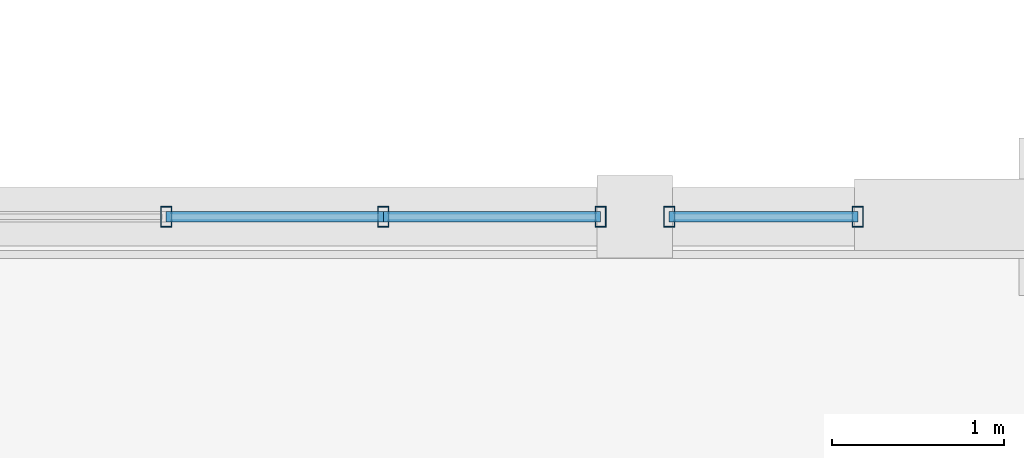
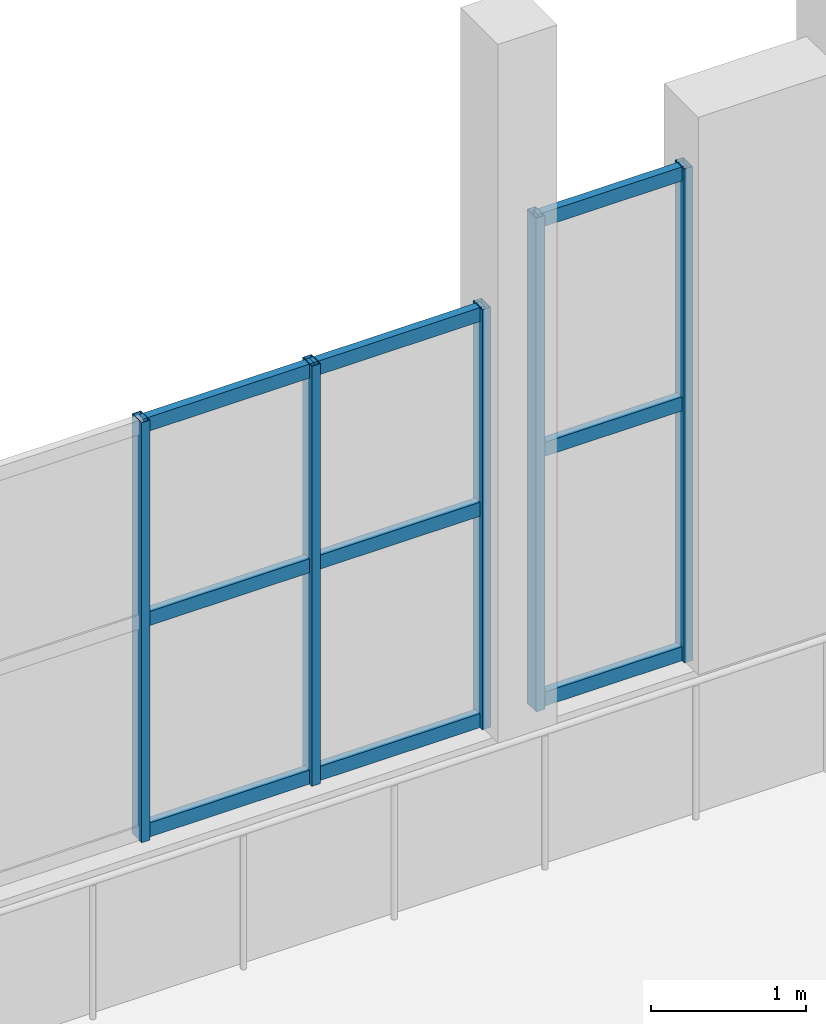
# One storey, part 7 of 46: 14 members, 2 elements without a shape of their own.
"""IFC4 building model written with IfcOpenShell, lengths in metres."""

from ifc_helpers import new_model, si_unit, direction, frame, origin, origin_2d, place, context, subcontext, project, spatial, hollow_rectangle, extrude, material, material_profile, profile_set, type_object, element, aggregate, save


model = new_model("IFC4")

# Units and contexts
model_context = context("Model", 3, precision=1e-05, world=origin(), true_north=direction((0.0, 1.0)))
body_context = subcontext(model_context, "Body", "Model", "MODEL_VIEW")
ifc_project = project(units=[si_unit("LENGTHUNIT", "METRE"), si_unit("AREAUNIT", "SQUARE_METRE"), si_unit("VOLUMEUNIT", "CUBIC_METRE"), si_unit("PLANEANGLEUNIT", "RADIAN"), si_unit("MASSUNIT", "GRAM", prefix="KILO")], contexts=[model_context])

# Site, building, storey
site_placement = place(None, origin())
site = spatial("IfcSite", under=ifc_project, at=site_placement, CompositionType="ELEMENT")
building_placement = place(site_placement, origin())
building = spatial("IfcBuilding", under=site, at=building_placement, Name="Mavantir Sound Aquarium", CompositionType="ELEMENT")
storey_placement = place(building_placement, frame((0.0, 0.0, 15.300048828125)))
storey = spatial("IfcBuildingStorey", under=building, at=storey_placement, Name="L03", CompositionType="ELEMENT", Elevation=15.300048828125)

# Curtain wall, members
ifc_material_1 = material(Name="Anodised Marine Aluminium and Low-E Glass", Category="aluminium")
curtain_wall_type_1 = type_object("IfcCurtainWallType", Name="CW-T01", PredefinedType="USERDEFINED", material=ifc_material_1)
curtain_wall_1_placement = place(storey_placement, origin())
curtain_wall_1 = element("IfcCurtainWall", 1, at=curtain_wall_1_placement, inside=storey, type_object=curtain_wall_type_1, Name="L03 unitised curtain wall CW-01 144", ObjectType="UNITISED GLAZING", PredefinedType="USERDEFINED")
ifc_material_2 = material(Name="Anodised Marine Aluminium 6063-T6", Category="aluminium")
ifc_material_profile_1 = material_profile(ifc_material_2, hollow_rectangle(XDim=0.06494140625, YDim=0.1201171875, WallThickness=0.00390625, at=origin_2d()), Name="ALU-MULLION-120X65")
ifc_profile_set_1 = profile_set([ifc_material_profile_1], Name="Anodised Marine Aluminium 6063-T6")
member_type_1 = type_object("IfcMemberType", Name="CW-MUL-120", PredefinedType="MULLION", material=ifc_profile_set_1)
member_1_placement = place(storey_placement, frame((112.166748046875, 90.800048828125, 1.119873046875), z_axis=(0.0, 0.0, 1.0), x_axis=(1.0, 0.0, 0.0)))
member_1 = element("IfcMember", 2, at=member_1_placement, type_object=member_type_1, Name="CW-DIOC-1N-C vertical mullion 2", PredefinedType="MULLION", context=body_context, shape_type="SweptSolid", body=[
    extrude(hollow_rectangle(XDim=0.06494140625, YDim=0.1201171875, WallThickness=0.00390625, at=origin_2d()), origin(), (0.0, 0.0, 1.0), 3.300048828125),
])
member_2_placement = place(storey_placement, frame((113.433349609375, 90.800048828125, 1.119873046875), z_axis=(0.0, 0.0, 1.0), x_axis=(1.0, 0.0, 0.0)))
member_2 = element("IfcMember", 3, at=member_2_placement, type_object=member_type_1, Name="CW-DIOC-1N-C vertical mullion 3", PredefinedType="MULLION", context=body_context, shape_type="SweptSolid", body=[
    extrude(hollow_rectangle(XDim=0.06494140625, YDim=0.1201171875, WallThickness=0.00390625, at=origin_2d()), origin(), (0.0, 0.0, 1.0), 3.300048828125),
])
member_3_placement = place(storey_placement, frame((114.699951171875, 90.800048828125, 1.119873046875), z_axis=(0.0, 0.0, 1.0), x_axis=(1.0, 0.0, 0.0)))
member_3 = element("IfcMember", 4, at=member_3_placement, type_object=member_type_1, Name="CW-DIOC-1N-C vertical mullion 4", PredefinedType="MULLION", context=body_context, shape_type="SweptSolid", body=[
    extrude(hollow_rectangle(XDim=0.06494140625, YDim=0.1201171875, WallThickness=0.00390625, at=origin_2d()), origin(), (0.0, 0.0, 1.0), 3.300048828125),
])

curtain_wall_type_2 = type_object("IfcCurtainWallType", Name="CW-T03", PredefinedType="USERDEFINED", material=ifc_material_1)
curtain_wall_2_placement = place(storey_placement, origin())
curtain_wall_2 = element("IfcCurtainWall", 5, at=curtain_wall_2_placement, inside=storey, type_object=curtain_wall_type_2, Name="L03 unitised curtain wall CW-03 146", ObjectType="UNITISED GLAZING", PredefinedType="USERDEFINED")
member_4_placement = place(storey_placement, frame((115.10009765625, 90.800048828125, 1.119873046875), z_axis=(0.0, 0.0, 1.0), x_axis=(1.0, 0.0, 0.0)))
member_4 = element("IfcMember", 6, at=member_4_placement, type_object=member_type_1, Name="CW-DIOC-1N-R vertical mullion 1", PredefinedType="MULLION", context=body_context, shape_type="SweptSolid", body=[
    extrude(hollow_rectangle(XDim=0.06494140625, YDim=0.1201171875, WallThickness=0.00390625, at=origin_2d()), origin(), (0.0, 0.0, 1.0), 3.880126953125),
])
member_5_placement = place(storey_placement, frame((116.199951171875, 90.800048828125, 1.119873046875), z_axis=(0.0, 0.0, 1.0), x_axis=(1.0, 0.0, 0.0)))
member_5 = element("IfcMember", 7, at=member_5_placement, type_object=member_type_1, Name="CW-DIOC-1N-R vertical mullion 2", PredefinedType="MULLION", context=body_context, shape_type="SweptSolid", body=[
    extrude(hollow_rectangle(XDim=0.06494140625, YDim=0.1201171875, WallThickness=0.00390625, at=origin_2d()), origin(), (0.0, 0.0, 1.0), 3.880126953125),
])

# Member
ifc_material_profile_2 = material_profile(ifc_material_2, hollow_rectangle(XDim=0.06005859375, YDim=0.110107421875, WallThickness=0.00390625, at=origin_2d()), Name="ALU-TRANSOM-110X60")
ifc_profile_set_2 = profile_set([ifc_material_profile_2], Name="Anodised Marine Aluminium 6063-T6")
member_type_2 = type_object("IfcMemberType", Name="CW-TRN-110", PredefinedType="USERDEFINED", material=ifc_profile_set_2)
member_6_placement = place(storey_placement, frame((112.166748046875, 90.800048828125, 1.175048828125), z_axis=(1.0, 0.0, 0.0), x_axis=(0.0, 1.0, 0.0)))
member_6 = element("IfcMember", 8, at=member_6_placement, type_object=member_type_2, Name="CW-DIOC-1N-C transom 2.1", ObjectType="TRANSOM", PredefinedType="USERDEFINED", context=body_context, shape_type="SweptSolid", body=[
    extrude(hollow_rectangle(XDim=0.06005859375, YDim=0.110107421875, WallThickness=0.00390625, at=origin_2d()), origin(), (0.0, 0.0, 1.0), 1.2666015625),
])

member_7_placement = place(storey_placement, frame((112.166748046875, 90.800048828125, 2.8359375), z_axis=(1.0, 0.0, 0.0), x_axis=(0.0, 1.0, 0.0)))
member_7 = element("IfcMember", 9, at=member_7_placement, type_object=member_type_2, Name="CW-DIOC-1N-C transom 2.2", ObjectType="TRANSOM", PredefinedType="USERDEFINED", context=body_context, shape_type="SweptSolid", body=[
    extrude(hollow_rectangle(XDim=0.06005859375, YDim=0.110107421875, WallThickness=0.00390625, at=origin_2d()), origin(), (0.0, 0.0, 1.0), 1.2666015625),
])

member_8_placement = place(storey_placement, frame((112.166748046875, 90.800048828125, 4.364990234375), z_axis=(1.0, 0.0, 0.0), x_axis=(0.0, 1.0, 0.0)))
member_8 = element("IfcMember", 10, at=member_8_placement, type_object=member_type_2, Name="CW-DIOC-1N-C transom 2.3", ObjectType="TRANSOM", PredefinedType="USERDEFINED", context=body_context, shape_type="SweptSolid", body=[
    extrude(hollow_rectangle(XDim=0.06005859375, YDim=0.110107421875, WallThickness=0.00390625, at=origin_2d()), origin(), (0.0, 0.0, 1.0), 1.2666015625),
])

member_9_placement = place(storey_placement, frame((113.433349609375, 90.800048828125, 1.175048828125), z_axis=(1.0, 0.0, 0.0), x_axis=(0.0, 1.0, 0.0)))
member_9 = element("IfcMember", 11, at=member_9_placement, type_object=member_type_2, Name="CW-DIOC-1N-C transom 3.1", ObjectType="TRANSOM", PredefinedType="USERDEFINED", context=body_context, shape_type="SweptSolid", body=[
    extrude(hollow_rectangle(XDim=0.06005859375, YDim=0.110107421875, WallThickness=0.00390625, at=origin_2d()), origin(), (0.0, 0.0, 1.0), 1.2666015625),
])

member_10_placement = place(storey_placement, frame((113.433349609375, 90.800048828125, 2.8359375), z_axis=(1.0, 0.0, 0.0), x_axis=(0.0, 1.0, 0.0)))
member_10 = element("IfcMember", 12, at=member_10_placement, type_object=member_type_2, Name="CW-DIOC-1N-C transom 3.2", ObjectType="TRANSOM", PredefinedType="USERDEFINED", context=body_context, shape_type="SweptSolid", body=[
    extrude(hollow_rectangle(XDim=0.06005859375, YDim=0.110107421875, WallThickness=0.00390625, at=origin_2d()), origin(), (0.0, 0.0, 1.0), 1.2666015625),
])

member_11_placement = place(storey_placement, frame((113.433349609375, 90.800048828125, 4.364990234375), z_axis=(1.0, 0.0, 0.0), x_axis=(0.0, 1.0, 0.0)))
member_11 = element("IfcMember", 13, at=member_11_placement, type_object=member_type_2, Name="CW-DIOC-1N-C transom 3.3", ObjectType="TRANSOM", PredefinedType="USERDEFINED", context=body_context, shape_type="SweptSolid", body=[
    extrude(hollow_rectangle(XDim=0.06005859375, YDim=0.110107421875, WallThickness=0.00390625, at=origin_2d()), origin(), (0.0, 0.0, 1.0), 1.2666015625),
])

aggregate(curtain_wall_1, [member_1, member_2, member_3, member_6, member_7, member_8, member_9, member_10, member_11])

member_12_placement = place(storey_placement, frame((115.10009765625, 90.800048828125, 1.175048828125), z_axis=(1.0, 0.0, 0.0), x_axis=(0.0, 1.0, 0.0)))
member_12 = element("IfcMember", 14, at=member_12_placement, type_object=member_type_2, Name="CW-DIOC-1N-R transom 1.1", ObjectType="TRANSOM", PredefinedType="USERDEFINED", context=body_context, shape_type="SweptSolid", body=[
    extrude(hollow_rectangle(XDim=0.06005859375, YDim=0.110107421875, WallThickness=0.00390625, at=origin_2d()), origin(), (0.0, 0.0, 1.0), 1.099853515625),
])

member_13_placement = place(storey_placement, frame((115.10009765625, 90.800048828125, 3.137451171875), z_axis=(1.0, 0.0, 0.0), x_axis=(0.0, 1.0, 0.0)))
member_13 = element("IfcMember", 15, at=member_13_placement, type_object=member_type_2, Name="CW-DIOC-1N-R transom 1.2", ObjectType="TRANSOM", PredefinedType="USERDEFINED", context=body_context, shape_type="SweptSolid", body=[
    extrude(hollow_rectangle(XDim=0.06005859375, YDim=0.110107421875, WallThickness=0.00390625, at=origin_2d()), origin(), (0.0, 0.0, 1.0), 1.099853515625),
])

member_14_placement = place(storey_placement, frame((115.10009765625, 90.800048828125, 4.945068359375), z_axis=(1.0, 0.0, 0.0), x_axis=(0.0, 1.0, 0.0)))
member_14 = element("IfcMember", 16, at=member_14_placement, type_object=member_type_2, Name="CW-DIOC-1N-R transom 1.3", ObjectType="TRANSOM", PredefinedType="USERDEFINED", context=body_context, shape_type="SweptSolid", body=[
    extrude(hollow_rectangle(XDim=0.06005859375, YDim=0.110107421875, WallThickness=0.00390625, at=origin_2d()), origin(), (0.0, 0.0, 1.0), 1.099853515625),
])

aggregate(curtain_wall_2, [member_4, member_5, member_12, member_13, member_14])

save(model, "model.ifc")
